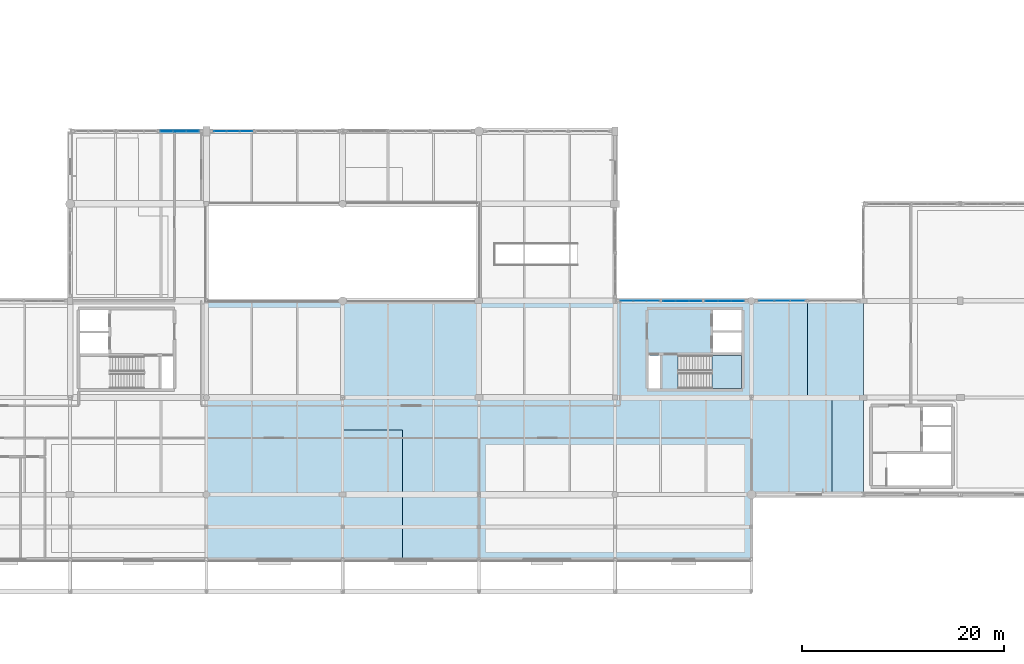
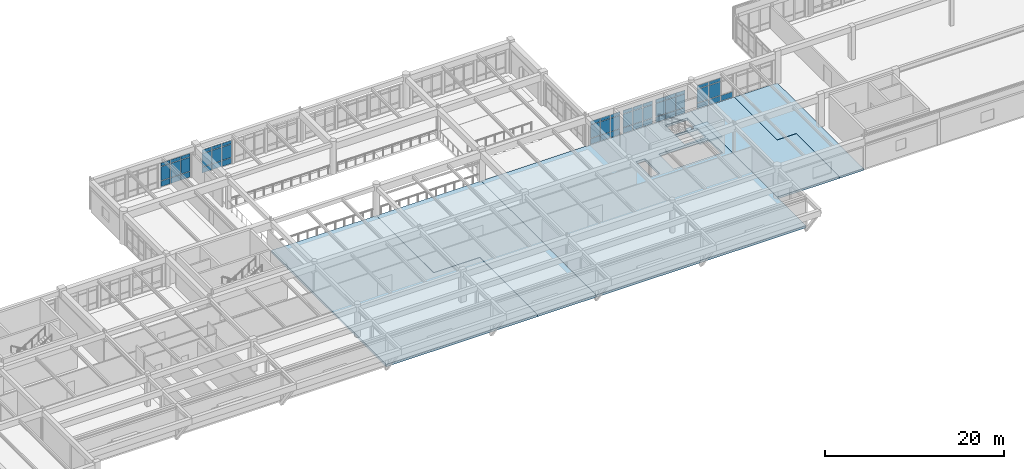
# One storey, part 53 of 80: 52 plates, 6 slabs, 7 elements without a shape of their own.
"""IFC4 building model written with IfcOpenShell, lengths in metres."""

from ifc_helpers import new_model, si_unit, direction, frame, origin, origin_2d, place, context, subcontext, project, spatial, polyline, rectangle, outline, extrude, material, layer, layer_set, type_object, element, aggregate, save


model = new_model("IFC4")

# Units and contexts
model_context = context("Model", 3, precision=1e-05, world=origin(), true_north=direction((0.0, 1.0)))
body_context = subcontext(model_context, "Body", "Model", "MODEL_VIEW")
ifc_project = project(units=[si_unit("LENGTHUNIT", "METRE"), si_unit("AREAUNIT", "SQUARE_METRE"), si_unit("VOLUMEUNIT", "CUBIC_METRE"), si_unit("PLANEANGLEUNIT", "RADIAN"), si_unit("MASSUNIT", "GRAM", prefix="KILO")], contexts=[model_context])

# Site, building, storey
site_placement = place(None, origin())
site = spatial("IfcSite", under=ifc_project, at=site_placement, CompositionType="ELEMENT")
building_placement = place(site_placement, origin())
building = spatial("IfcBuilding", under=site, at=building_placement, Name="Fikremerkos Civic Library", CompositionType="ELEMENT")
storey_placement = place(building_placement, frame((0.0, 0.0, 9.89990234375)))
storey = spatial("IfcBuildingStorey", under=building, at=storey_placement, Name="L02", CompositionType="ELEMENT", Elevation=9.89990234375)

# Curtain wall, plates
ifc_material_1 = material(Name="Anodized aluminium Frame", Category="aluminium")
ifc_layer_1 = layer(ifc_material_1, 0.159912109375, Name="Anodized aluminium Frame")
ifc_layer_set_1 = layer_set([ifc_layer_1], Name="Anodized aluminium Frame")
curtain_wall_type_1 = type_object("IfcCurtainWallType", Name="Unitised curtain wall CW-13 3700x3200", PredefinedType="USERDEFINED", material=ifc_layer_set_1)
curtain_wall_1_placement = place(storey_placement, origin())
curtain_wall_1 = element("IfcCurtainWall", 1, at=curtain_wall_1_placement, inside=storey, type_object=curtain_wall_type_1, Name="Unitised curtain wall CW-13 L02 #157", ObjectType="UNITISED CURTAIN WALL", PredefinedType="USERDEFINED")
ifc_material_2 = material(Name="Solar control double glazing", Category="glass")
ifc_layer_2 = layer(ifc_material_2, 0.028076171875, Name="Solar control double glazing")
ifc_layer_set_2 = layer_set([ifc_layer_2], Name="Solar control double glazing")
plate_type_1 = type_object("IfcPlateType", Name="Curtain glazing panel CWP-01 28", PredefinedType="CURTAIN_PANEL", material=ifc_layer_set_2)
plate_1_placement = place(storey_placement, frame((61.064453125, 48.0, 0.06005859375), z_axis=(0.0, 0.0, 1.0), x_axis=(1.0, 0.0, 0.0)))
plate_1 = element("IfcPlate", 2, at=plate_1_placement, type_object=plate_type_1, Name="CW-13 panel 1.1", PredefinedType="CURTAIN_PANEL", context=body_context, shape_type="SweptSolid", body=[
    extrude(rectangle(XDim=1.202880859375, YDim=0.028076171875, at=origin_2d()), origin(), (0.0, 0.0, 1.0), 0.760009765625),
])
plate_2_placement = place(storey_placement, frame((61.064453125, 48.0, 0.8798828125), z_axis=(0.0, 0.0, 1.0), x_axis=(1.0, 0.0, 0.0)))
plate_2 = element("IfcPlate", 3, at=plate_2_placement, type_object=plate_type_1, Name="CW-13 panel 1.2", PredefinedType="CURTAIN_PANEL", context=body_context, shape_type="SweptSolid", body=[
    extrude(rectangle(XDim=1.202880859375, YDim=0.028076171875, at=origin_2d()), origin(), (0.0, 0.0, 1.0), 1.800048828125),
])
plate_3_placement = place(storey_placement, frame((61.064453125, 48.0, 2.740234375), z_axis=(0.0, 0.0, 1.0), x_axis=(1.0, 0.0, 0.0)))
plate_3 = element("IfcPlate", 4, at=plate_3_placement, type_object=plate_type_1, Name="CW-13 panel 1.3", PredefinedType="CURTAIN_PANEL", context=body_context, shape_type="SweptSolid", body=[
    extrude(rectangle(XDim=1.202880859375, YDim=0.028076171875, at=origin_2d()), origin(), (0.0, 0.0, 1.0), 0.4599609375),
])
plate_4_placement = place(storey_placement, frame((62.3486328125, 48.0, 0.06005859375), z_axis=(0.0, 0.0, 1.0), x_axis=(1.0, 0.0, 0.0)))
plate_4 = element("IfcPlate", 5, at=plate_4_placement, type_object=plate_type_1, Name="CW-13 panel 2.1", PredefinedType="CURTAIN_PANEL", context=body_context, shape_type="SweptSolid", body=[
    extrude(rectangle(XDim=1.2353515625, YDim=0.028076171875, at=origin_2d()), origin(), (0.0, 0.0, 1.0), 0.760009765625),
])
plate_5_placement = place(storey_placement, frame((62.3486328125, 48.0, 0.8798828125), z_axis=(0.0, 0.0, 1.0), x_axis=(1.0, 0.0, 0.0)))
plate_5 = element("IfcPlate", 6, at=plate_5_placement, type_object=plate_type_1, Name="CW-13 panel 2.2", PredefinedType="CURTAIN_PANEL", context=body_context, shape_type="SweptSolid", body=[
    extrude(rectangle(XDim=1.2353515625, YDim=0.028076171875, at=origin_2d()), origin(), (0.0, 0.0, 1.0), 1.800048828125),
])
plate_6_placement = place(storey_placement, frame((62.3486328125, 48.0, 2.740234375), z_axis=(0.0, 0.0, 1.0), x_axis=(1.0, 0.0, 0.0)))
plate_6 = element("IfcPlate", 7, at=plate_6_placement, type_object=plate_type_1, Name="CW-13 panel 2.3", PredefinedType="CURTAIN_PANEL", context=body_context, shape_type="SweptSolid", body=[
    extrude(rectangle(XDim=1.2353515625, YDim=0.028076171875, at=origin_2d()), origin(), (0.0, 0.0, 1.0), 0.4599609375),
])
plate_7_placement = place(storey_placement, frame((63.6328125, 48.0, 0.06005859375), z_axis=(0.0, 0.0, 1.0), x_axis=(1.0, 0.0, 0.0)))
plate_7 = element("IfcPlate", 8, at=plate_7_placement, type_object=plate_type_1, Name="CW-13 panel 3.1", PredefinedType="CURTAIN_PANEL", context=body_context, shape_type="SweptSolid", body=[
    extrude(rectangle(XDim=1.202880859375, YDim=0.028076171875, at=origin_2d()), origin(), (0.0, 0.0, 1.0), 0.760009765625),
])
plate_8_placement = place(storey_placement, frame((63.6328125, 48.0, 0.8798828125), z_axis=(0.0, 0.0, 1.0), x_axis=(1.0, 0.0, 0.0)))
plate_8 = element("IfcPlate", 9, at=plate_8_placement, type_object=plate_type_1, Name="CW-13 panel 3.2", PredefinedType="CURTAIN_PANEL", context=body_context, shape_type="SweptSolid", body=[
    extrude(rectangle(XDim=1.202880859375, YDim=0.028076171875, at=origin_2d()), origin(), (0.0, 0.0, 1.0), 1.800048828125),
])
plate_9_placement = place(storey_placement, frame((63.6328125, 48.0, 2.740234375), z_axis=(0.0, 0.0, 1.0), x_axis=(1.0, 0.0, 0.0)))
plate_9 = element("IfcPlate", 10, at=plate_9_placement, type_object=plate_type_1, Name="CW-13 panel 3.3", PredefinedType="CURTAIN_PANEL", context=body_context, shape_type="SweptSolid", body=[
    extrude(rectangle(XDim=1.202880859375, YDim=0.028076171875, at=origin_2d()), origin(), (0.0, 0.0, 1.0), 0.4599609375),
])
aggregate(curtain_wall_1, [plate_1, plate_2, plate_3, plate_4, plate_5, plate_6, plate_7, plate_8, plate_9])

ifc_layer_3 = layer(ifc_material_1, 0.159912109375, Name="Anodized aluminium Frame")
ifc_layer_set_3 = layer_set([ifc_layer_3], Name="Anodized aluminium Frame")
curtain_wall_type_2 = type_object("IfcCurtainWallType", Name="Unitised curtain wall CW-09 3600x3400", PredefinedType="USERDEFINED", material=ifc_layer_set_3)
curtain_wall_2_placement = place(storey_placement, origin())
curtain_wall_2 = element("IfcCurtainWall", 11, at=curtain_wall_2_placement, inside=storey, type_object=curtain_wall_type_2, Name="Unitised curtain wall CW-09 L02 #171", ObjectType="UNITISED CURTAIN WALL", PredefinedType="USERDEFINED")
plate_10_placement = place(storey_placement, frame((115.197998046875, 31.199951171875, 0.070068359375), z_axis=(0.0, 0.0, 1.0), x_axis=(1.0, 0.0, 0.0)))
plate_10 = element("IfcPlate", 12, at=plate_10_placement, type_object=plate_type_1, Name="CW-09 panel 1.1", PredefinedType="CURTAIN_PANEL", context=body_context, shape_type="SweptSolid", body=[
    extrude(rectangle(XDim=1.4697265625, YDim=0.028076171875, at=origin_2d()), origin(), (0.0, 0.0, 1.0), 0.7451171875),
])
plate_11_placement = place(storey_placement, frame((115.197998046875, 31.199951171875, 0.885009765625), z_axis=(0.0, 0.0, 1.0), x_axis=(1.0, 0.0, 0.0)))
plate_11 = element("IfcPlate", 13, at=plate_11_placement, type_object=plate_type_1, Name="CW-09 panel 1.2", PredefinedType="CURTAIN_PANEL", context=body_context, shape_type="SweptSolid", body=[
    extrude(rectangle(XDim=1.4697265625, YDim=0.028076171875, at=origin_2d()), origin(), (0.0, 0.0, 1.0), 1.830078125),
])
plate_12_placement = place(storey_placement, frame((115.197998046875, 31.199951171875, 2.78515625), z_axis=(0.0, 0.0, 1.0), x_axis=(1.0, 0.0, 0.0)))
plate_12 = element("IfcPlate", 14, at=plate_12_placement, type_object=plate_type_1, Name="CW-09 panel 1.3", PredefinedType="CURTAIN_PANEL", context=body_context, shape_type="SweptSolid", body=[
    extrude(rectangle(XDim=1.4697265625, YDim=0.028076171875, at=origin_2d()), origin(), (0.0, 0.0, 1.0), 0.445068359375),
])
plate_13_placement = place(storey_placement, frame((116.7490234375, 31.199951171875, 0.070068359375), z_axis=(0.0, 0.0, 1.0), x_axis=(1.0, 0.0, 0.0)))
plate_13 = element("IfcPlate", 15, at=plate_13_placement, type_object=plate_type_1, Name="CW-09 panel 2.1", PredefinedType="CURTAIN_PANEL", context=body_context, shape_type="SweptSolid", body=[
    extrude(rectangle(XDim=1.50244140625, YDim=0.028076171875, at=origin_2d()), origin(), (0.0, 0.0, 1.0), 0.7451171875),
])
plate_14_placement = place(storey_placement, frame((116.7490234375, 31.199951171875, 0.885009765625), z_axis=(0.0, 0.0, 1.0), x_axis=(1.0, 0.0, 0.0)))
plate_14 = element("IfcPlate", 16, at=plate_14_placement, type_object=plate_type_1, Name="CW-09 panel 2.2", PredefinedType="CURTAIN_PANEL", context=body_context, shape_type="SweptSolid", body=[
    extrude(rectangle(XDim=1.50244140625, YDim=0.028076171875, at=origin_2d()), origin(), (0.0, 0.0, 1.0), 1.830078125),
])
plate_15_placement = place(storey_placement, frame((116.7490234375, 31.199951171875, 2.78515625), z_axis=(0.0, 0.0, 1.0), x_axis=(1.0, 0.0, 0.0)))
plate_15 = element("IfcPlate", 17, at=plate_15_placement, type_object=plate_type_1, Name="CW-09 panel 2.3", PredefinedType="CURTAIN_PANEL", context=body_context, shape_type="SweptSolid", body=[
    extrude(rectangle(XDim=1.50244140625, YDim=0.028076171875, at=origin_2d()), origin(), (0.0, 0.0, 1.0), 0.445068359375),
])
plate_16_placement = place(storey_placement, frame((118.300048828125, 31.199951171875, 0.070068359375), z_axis=(0.0, 0.0, 1.0), x_axis=(1.0, 0.0, 0.0)))
plate_16 = element("IfcPlate", 18, at=plate_16_placement, type_object=plate_type_1, Name="CW-09 panel 3.1", PredefinedType="CURTAIN_PANEL", context=body_context, shape_type="SweptSolid", body=[
    extrude(rectangle(XDim=1.4697265625, YDim=0.028076171875, at=origin_2d()), origin(), (0.0, 0.0, 1.0), 0.7451171875),
])
aggregate(curtain_wall_2, [plate_10, plate_11, plate_12, plate_13, plate_14, plate_15, plate_16])

ifc_layer_4 = layer(ifc_material_1, 0.159912109375, Name="Anodized aluminium Frame")
ifc_layer_set_4 = layer_set([ifc_layer_4], Name="Anodized aluminium Frame")
curtain_wall_type_3 = type_object("IfcCurtainWallType", Name="Unitised curtain wall CW-06 4200x4100", PredefinedType="USERDEFINED", material=ifc_layer_set_4)
curtain_wall_3_placement = place(storey_placement, origin())
curtain_wall_3 = element("IfcCurtainWall", 19, at=curtain_wall_3_placement, inside=storey, type_object=curtain_wall_type_3, Name="Unitised curtain wall CW-06 L02 #168", ObjectType="UNITISED CURTAIN WALL", PredefinedType="USERDEFINED")
ifc_layer_5 = layer(ifc_material_2, 0.035888671875, Name="Solar control double glazing")
ifc_layer_set_5 = layer_set([ifc_layer_5], Name="Solar control double glazing")
plate_type_2 = type_object("IfcPlateType", Name="Curtain glazing panel CWP-02 36", PredefinedType="CURTAIN_PANEL", material=ifc_layer_set_5)
plate_17_placement = place(storey_placement, frame((101.36328125, 31.199951171875, 0.06005859375), z_axis=(0.0, 0.0, 1.0), x_axis=(1.0, 0.0, 0.0)))
plate_17 = element("IfcPlate", 20, at=plate_17_placement, type_object=plate_type_2, Name="CW-06 panel 1.1", PredefinedType="CURTAIN_PANEL", context=body_context, shape_type="SweptSolid", body=[
    extrude(rectangle(XDim=1.21044921875, YDim=0.035888671875, at=origin_2d()), origin(), (0.0, 0.0, 1.0), 0.760009765625),
])
plate_18_placement = place(storey_placement, frame((101.36328125, 31.199951171875, 0.880126953125), z_axis=(0.0, 0.0, 1.0), x_axis=(1.0, 0.0, 0.0)))
plate_18 = element("IfcPlate", 21, at=plate_18_placement, type_object=plate_type_2, Name="CW-06 panel 1.2", PredefinedType="CURTAIN_PANEL", context=body_context, shape_type="SweptSolid", body=[
    extrude(rectangle(XDim=1.21044921875, YDim=0.035888671875, at=origin_2d()), origin(), (0.0, 0.0, 1.0), 1.7900390625),
])
plate_19_placement = place(storey_placement, frame((101.36328125, 31.199951171875, 2.730224609375), z_axis=(0.0, 0.0, 1.0), x_axis=(1.0, 0.0, 0.0)))
plate_19 = element("IfcPlate", 22, at=plate_19_placement, type_object=plate_type_2, Name="CW-06 panel 1.3", PredefinedType="CURTAIN_PANEL", context=body_context, shape_type="SweptSolid", body=[
    extrude(rectangle(XDim=1.21044921875, YDim=0.035888671875, at=origin_2d()), origin(), (0.0, 0.0, 1.0), 0.4599609375),
])
plate_20_placement = place(storey_placement, frame((102.648681640625, 31.199951171875, 0.06005859375), z_axis=(0.0, 0.0, 1.0), x_axis=(1.0, 0.0, 0.0)))
plate_20 = element("IfcPlate", 23, at=plate_20_placement, type_object=plate_type_2, Name="CW-06 panel 2.1", PredefinedType="CURTAIN_PANEL", context=body_context, shape_type="SweptSolid", body=[
    extrude(rectangle(XDim=1.240478515625, YDim=0.035888671875, at=origin_2d()), origin(), (0.0, 0.0, 1.0), 0.760009765625),
])
plate_21_placement = place(storey_placement, frame((102.648681640625, 31.199951171875, 0.880126953125), z_axis=(0.0, 0.0, 1.0), x_axis=(1.0, 0.0, 0.0)))
plate_21 = element("IfcPlate", 24, at=plate_21_placement, type_object=plate_type_2, Name="CW-06 panel 2.2", PredefinedType="CURTAIN_PANEL", context=body_context, shape_type="SweptSolid", body=[
    extrude(rectangle(XDim=1.240478515625, YDim=0.035888671875, at=origin_2d()), origin(), (0.0, 0.0, 1.0), 1.7900390625),
])
plate_22_placement = place(storey_placement, frame((102.648681640625, 31.199951171875, 2.730224609375), z_axis=(0.0, 0.0, 1.0), x_axis=(1.0, 0.0, 0.0)))
plate_22 = element("IfcPlate", 25, at=plate_22_placement, type_object=plate_type_2, Name="CW-06 panel 2.3", PredefinedType="CURTAIN_PANEL", context=body_context, shape_type="SweptSolid", body=[
    extrude(rectangle(XDim=1.240478515625, YDim=0.035888671875, at=origin_2d()), origin(), (0.0, 0.0, 1.0), 0.4599609375),
])
plate_23_placement = place(storey_placement, frame((103.93408203125, 31.199951171875, 0.06005859375), z_axis=(0.0, 0.0, 1.0), x_axis=(1.0, 0.0, 0.0)))
plate_23 = element("IfcPlate", 26, at=plate_23_placement, type_object=plate_type_2, Name="CW-06 panel 3.1", PredefinedType="CURTAIN_PANEL", context=body_context, shape_type="SweptSolid", body=[
    extrude(rectangle(XDim=1.21044921875, YDim=0.035888671875, at=origin_2d()), origin(), (0.0, 0.0, 1.0), 0.760009765625),
])
plate_24_placement = place(storey_placement, frame((103.93408203125, 31.199951171875, 0.880126953125), z_axis=(0.0, 0.0, 1.0), x_axis=(1.0, 0.0, 0.0)))
plate_24 = element("IfcPlate", 27, at=plate_24_placement, type_object=plate_type_2, Name="CW-06 panel 3.2", PredefinedType="CURTAIN_PANEL", context=body_context, shape_type="SweptSolid", body=[
    extrude(rectangle(XDim=1.21044921875, YDim=0.035888671875, at=origin_2d()), origin(), (0.0, 0.0, 1.0), 1.7900390625),
])
plate_25_placement = place(storey_placement, frame((103.93408203125, 31.199951171875, 2.730224609375), z_axis=(0.0, 0.0, 1.0), x_axis=(1.0, 0.0, 0.0)))
plate_25 = element("IfcPlate", 28, at=plate_25_placement, type_object=plate_type_2, Name="CW-06 panel 3.3", PredefinedType="CURTAIN_PANEL", context=body_context, shape_type="SweptSolid", body=[
    extrude(rectangle(XDim=1.21044921875, YDim=0.035888671875, at=origin_2d()), origin(), (0.0, 0.0, 1.0), 0.4599609375),
])
aggregate(curtain_wall_3, [plate_17, plate_18, plate_19, plate_20, plate_21, plate_22, plate_23, plate_24, plate_25])

ifc_layer_6 = layer(ifc_material_1, 0.159912109375, Name="Anodized aluminium Frame")
ifc_layer_set_6 = layer_set([ifc_layer_6], Name="Anodized aluminium Frame")
curtain_wall_type_4 = type_object("IfcCurtainWallType", Name="Unitised curtain wall CW-07 3500x4100", PredefinedType="USERDEFINED", material=ifc_layer_set_6)
curtain_wall_4_placement = place(storey_placement, origin())
curtain_wall_4 = element("IfcCurtainWall", 29, at=curtain_wall_4_placement, inside=storey, type_object=curtain_wall_type_4, Name="Unitised curtain wall CW-07 L02 #169", ObjectType="UNITISED CURTAIN WALL", PredefinedType="USERDEFINED")
ifc_material_3 = material(Name="Insulated aluminium spandrel", Category="aluminium")
ifc_layer_7 = layer(ifc_material_3, 0.044921875, Name="Insulated aluminium spandrel")
ifc_layer_set_7 = layer_set([ifc_layer_7], Name="Insulated aluminium spandrel")
plate_type_3 = type_object("IfcPlateType", Name="Curtain spandrel panel CSP-01 45", PredefinedType="CURTAIN_PANEL", material=ifc_layer_set_7)
plate_26_placement = place(storey_placement, frame((105.564453125, 31.199951171875, 0.070068359375), z_axis=(0.0, 0.0, 1.0), x_axis=(1.0, 0.0, 0.0)))
plate_26 = element("IfcPlate", 30, at=plate_26_placement, type_object=plate_type_3, Name="CW-07 panel 1.1", PredefinedType="CURTAIN_PANEL", context=body_context, shape_type="SweptSolid", body=[
    extrude(rectangle(XDim=1.21044921875, YDim=0.044921875, at=origin_2d()), origin(), (0.0, 0.0, 1.0), 0.7451171875),
])
plate_27_placement = place(storey_placement, frame((105.564453125, 31.199951171875, 0.88525390625), z_axis=(0.0, 0.0, 1.0), x_axis=(1.0, 0.0, 0.0)))
plate_27 = element("IfcPlate", 31, at=plate_27_placement, type_object=plate_type_3, Name="CW-07 panel 1.2", PredefinedType="CURTAIN_PANEL", context=body_context, shape_type="SweptSolid", body=[
    extrude(rectangle(XDim=1.21044921875, YDim=0.044921875, at=origin_2d()), origin(), (0.0, 0.0, 1.0), 1.780029296875),
])
plate_28_placement = place(storey_placement, frame((105.564453125, 31.199951171875, 2.73486328125), z_axis=(0.0, 0.0, 1.0), x_axis=(1.0, 0.0, 0.0)))
plate_28 = element("IfcPlate", 32, at=plate_28_placement, type_object=plate_type_3, Name="CW-07 panel 1.3", PredefinedType="CURTAIN_PANEL", context=body_context, shape_type="SweptSolid", body=[
    extrude(rectangle(XDim=1.21044921875, YDim=0.044921875, at=origin_2d()), origin(), (0.0, 0.0, 1.0), 0.445068359375),
])
plate_29_placement = place(storey_placement, frame((106.85009765625, 31.199951171875, 0.070068359375), z_axis=(0.0, 0.0, 1.0), x_axis=(1.0, 0.0, 0.0)))
plate_29 = element("IfcPlate", 33, at=plate_29_placement, type_object=plate_type_3, Name="CW-07 panel 2.1", PredefinedType="CURTAIN_PANEL", context=body_context, shape_type="SweptSolid", body=[
    extrude(rectangle(XDim=1.240478515625, YDim=0.044921875, at=origin_2d()), origin(), (0.0, 0.0, 1.0), 0.7451171875),
])
plate_30_placement = place(storey_placement, frame((106.85009765625, 31.199951171875, 0.88525390625), z_axis=(0.0, 0.0, 1.0), x_axis=(1.0, 0.0, 0.0)))
plate_30 = element("IfcPlate", 34, at=plate_30_placement, type_object=plate_type_3, Name="CW-07 panel 2.2", PredefinedType="CURTAIN_PANEL", context=body_context, shape_type="SweptSolid", body=[
    extrude(rectangle(XDim=1.240478515625, YDim=0.044921875, at=origin_2d()), origin(), (0.0, 0.0, 1.0), 1.780029296875),
])
plate_31_placement = place(storey_placement, frame((106.85009765625, 31.199951171875, 2.73486328125), z_axis=(0.0, 0.0, 1.0), x_axis=(1.0, 0.0, 0.0)))
plate_31 = element("IfcPlate", 35, at=plate_31_placement, type_object=plate_type_3, Name="CW-07 panel 2.3", PredefinedType="CURTAIN_PANEL", context=body_context, shape_type="SweptSolid", body=[
    extrude(rectangle(XDim=1.240478515625, YDim=0.044921875, at=origin_2d()), origin(), (0.0, 0.0, 1.0), 0.445068359375),
])
plate_32_placement = place(storey_placement, frame((108.135498046875, 31.199951171875, 0.070068359375), z_axis=(0.0, 0.0, 1.0), x_axis=(1.0, 0.0, 0.0)))
plate_32 = element("IfcPlate", 36, at=plate_32_placement, type_object=plate_type_3, Name="CW-07 panel 3.1", PredefinedType="CURTAIN_PANEL", context=body_context, shape_type="SweptSolid", body=[
    extrude(rectangle(XDim=1.21044921875, YDim=0.044921875, at=origin_2d()), origin(), (0.0, 0.0, 1.0), 0.7451171875),
])
plate_33_placement = place(storey_placement, frame((108.135498046875, 31.199951171875, 0.88525390625), z_axis=(0.0, 0.0, 1.0), x_axis=(1.0, 0.0, 0.0)))
plate_33 = element("IfcPlate", 37, at=plate_33_placement, type_object=plate_type_3, Name="CW-07 panel 3.2", PredefinedType="CURTAIN_PANEL", context=body_context, shape_type="SweptSolid", body=[
    extrude(rectangle(XDim=1.21044921875, YDim=0.044921875, at=origin_2d()), origin(), (0.0, 0.0, 1.0), 1.780029296875),
])
plate_34_placement = place(storey_placement, frame((108.135498046875, 31.199951171875, 2.73486328125), z_axis=(0.0, 0.0, 1.0), x_axis=(1.0, 0.0, 0.0)))
plate_34 = element("IfcPlate", 38, at=plate_34_placement, type_object=plate_type_3, Name="CW-07 panel 3.3", PredefinedType="CURTAIN_PANEL", context=body_context, shape_type="SweptSolid", body=[
    extrude(rectangle(XDim=1.21044921875, YDim=0.044921875, at=origin_2d()), origin(), (0.0, 0.0, 1.0), 0.445068359375),
])
aggregate(curtain_wall_4, [plate_26, plate_27, plate_28, plate_29, plate_30, plate_31, plate_32, plate_33, plate_34])

ifc_layer_8 = layer(ifc_material_1, 0.159912109375, Name="Anodized aluminium Frame")
ifc_layer_set_8 = layer_set([ifc_layer_8], Name="Anodized aluminium Frame")
curtain_wall_type_5 = type_object("IfcCurtainWallType", Name="Unitised curtain wall CW-12 4300x3400", PredefinedType="USERDEFINED", material=ifc_layer_set_8)
curtain_wall_5_placement = place(storey_placement, origin())
curtain_wall_5 = element("IfcCurtainWall", 39, at=curtain_wall_5_placement, inside=storey, type_object=curtain_wall_type_5, Name="Unitised curtain wall CW-12 L02 #156", ObjectType="UNITISED CURTAIN WALL", PredefinedType="USERDEFINED")
ifc_layer_9 = layer(ifc_material_3, 0.054931640625, Name="Insulated aluminium spandrel")
ifc_layer_set_9 = layer_set([ifc_layer_9], Name="Insulated aluminium spandrel")
plate_type_4 = type_object("IfcPlateType", Name="Curtain spandrel panel CSP-02 55", PredefinedType="CURTAIN_PANEL", material=ifc_layer_set_9)
plate_35_placement = place(storey_placement, frame((55.765869140625, 48.0, 0.065185546875), z_axis=(0.0, 0.0, 1.0), x_axis=(1.0, 0.0, 0.0)))
plate_35 = element("IfcPlate", 40, at=plate_35_placement, type_object=plate_type_4, Name="CW-12 panel 1.1", PredefinedType="CURTAIN_PANEL", context=body_context, shape_type="SweptSolid", body=[
    extrude(rectangle(XDim=1.21044921875, YDim=0.054931640625, at=origin_2d()), origin(), (0.0, 0.0, 1.0), 0.75244140625),
])
plate_36_placement = place(storey_placement, frame((55.765869140625, 48.0, 0.882568359375), z_axis=(0.0, 0.0, 1.0), x_axis=(1.0, 0.0, 0.0)))
plate_36 = element("IfcPlate", 41, at=plate_36_placement, type_object=plate_type_4, Name="CW-12 panel 1.2", PredefinedType="CURTAIN_PANEL", context=body_context, shape_type="SweptSolid", body=[
    extrude(rectangle(XDim=1.21044921875, YDim=0.054931640625, at=origin_2d()), origin(), (0.0, 0.0, 1.0), 1.89501953125),
])
plate_37_placement = place(storey_placement, frame((55.765869140625, 48.0, 2.8427734375), z_axis=(0.0, 0.0, 1.0), x_axis=(1.0, 0.0, 0.0)))
plate_37 = element("IfcPlate", 42, at=plate_37_placement, type_object=plate_type_4, Name="CW-12 panel 1.3", PredefinedType="CURTAIN_PANEL", context=body_context, shape_type="SweptSolid", body=[
    extrude(rectangle(XDim=1.21044921875, YDim=0.054931640625, at=origin_2d()), origin(), (0.0, 0.0, 1.0), 0.452392578125),
])
plate_38_placement = place(storey_placement, frame((57.05126953125, 48.0, 0.065185546875), z_axis=(0.0, 0.0, 1.0), x_axis=(1.0, 0.0, 0.0)))
plate_38 = element("IfcPlate", 43, at=plate_38_placement, type_object=plate_type_4, Name="CW-12 panel 2.1", PredefinedType="CURTAIN_PANEL", context=body_context, shape_type="SweptSolid", body=[
    extrude(rectangle(XDim=1.240478515625, YDim=0.054931640625, at=origin_2d()), origin(), (0.0, 0.0, 1.0), 0.75244140625),
])
plate_39_placement = place(storey_placement, frame((57.05126953125, 48.0, 0.882568359375), z_axis=(0.0, 0.0, 1.0), x_axis=(1.0, 0.0, 0.0)))
plate_39 = element("IfcPlate", 44, at=plate_39_placement, type_object=plate_type_4, Name="CW-12 panel 2.2", PredefinedType="CURTAIN_PANEL", context=body_context, shape_type="SweptSolid", body=[
    extrude(rectangle(XDim=1.240478515625, YDim=0.054931640625, at=origin_2d()), origin(), (0.0, 0.0, 1.0), 1.89501953125),
])
plate_40_placement = place(storey_placement, frame((57.05126953125, 48.0, 2.8427734375), z_axis=(0.0, 0.0, 1.0), x_axis=(1.0, 0.0, 0.0)))
plate_40 = element("IfcPlate", 45, at=plate_40_placement, type_object=plate_type_4, Name="CW-12 panel 2.3", PredefinedType="CURTAIN_PANEL", context=body_context, shape_type="SweptSolid", body=[
    extrude(rectangle(XDim=1.240478515625, YDim=0.054931640625, at=origin_2d()), origin(), (0.0, 0.0, 1.0), 0.452392578125),
])
plate_41_placement = place(storey_placement, frame((58.336669921875, 48.0, 0.065185546875), z_axis=(0.0, 0.0, 1.0), x_axis=(1.0, 0.0, 0.0)))
plate_41 = element("IfcPlate", 46, at=plate_41_placement, type_object=plate_type_4, Name="CW-12 panel 3.1", PredefinedType="CURTAIN_PANEL", context=body_context, shape_type="SweptSolid", body=[
    extrude(rectangle(XDim=1.21044921875, YDim=0.054931640625, at=origin_2d()), origin(), (0.0, 0.0, 1.0), 0.75244140625),
])
plate_42_placement = place(storey_placement, frame((58.336669921875, 48.0, 0.882568359375), z_axis=(0.0, 0.0, 1.0), x_axis=(1.0, 0.0, 0.0)))
plate_42 = element("IfcPlate", 47, at=plate_42_placement, type_object=plate_type_4, Name="CW-12 panel 3.2", PredefinedType="CURTAIN_PANEL", context=body_context, shape_type="SweptSolid", body=[
    extrude(rectangle(XDim=1.21044921875, YDim=0.054931640625, at=origin_2d()), origin(), (0.0, 0.0, 1.0), 1.89501953125),
])
plate_43_placement = place(storey_placement, frame((58.336669921875, 48.0, 2.8427734375), z_axis=(0.0, 0.0, 1.0), x_axis=(1.0, 0.0, 0.0)))
plate_43 = element("IfcPlate", 48, at=plate_43_placement, type_object=plate_type_4, Name="CW-12 panel 3.3", PredefinedType="CURTAIN_PANEL", context=body_context, shape_type="SweptSolid", body=[
    extrude(rectangle(XDim=1.21044921875, YDim=0.054931640625, at=origin_2d()), origin(), (0.0, 0.0, 1.0), 0.452392578125),
])
aggregate(curtain_wall_5, [plate_35, plate_36, plate_37, plate_38, plate_39, plate_40, plate_41, plate_42, plate_43])

ifc_layer_10 = layer(ifc_material_1, 0.159912109375, Name="Anodized aluminium Frame")
ifc_layer_set_10 = layer_set([ifc_layer_10], Name="Anodized aluminium Frame")
curtain_wall_type_6 = type_object("IfcCurtainWallType", Name="Unitised curtain wall CW-08 4500x4100", PredefinedType="USERDEFINED", material=ifc_layer_set_10)
curtain_wall_6_placement = place(storey_placement, origin())
curtain_wall_6 = element("IfcCurtainWall", 49, at=curtain_wall_6_placement, inside=storey, type_object=curtain_wall_type_6, Name="Unitised curtain wall CW-08 L02 #170", ObjectType="UNITISED CURTAIN WALL", PredefinedType="USERDEFINED")
plate_44_placement = place(storey_placement, frame((109.765869140625, 31.199951171875, 0.070068359375), z_axis=(0.0, 0.0, 1.0), x_axis=(1.0, 0.0, 0.0)))
plate_44 = element("IfcPlate", 50, at=plate_44_placement, type_object=plate_type_4, Name="CW-08 panel 1.1", PredefinedType="CURTAIN_PANEL", context=body_context, shape_type="SweptSolid", body=[
    extrude(rectangle(XDim=1.21044921875, YDim=0.054931640625, at=origin_2d()), origin(), (0.0, 0.0, 1.0), 0.7451171875),
])
plate_45_placement = place(storey_placement, frame((109.765869140625, 31.199951171875, 0.88525390625), z_axis=(0.0, 0.0, 1.0), x_axis=(1.0, 0.0, 0.0)))
plate_45 = element("IfcPlate", 51, at=plate_45_placement, type_object=plate_type_4, Name="CW-08 panel 1.2", PredefinedType="CURTAIN_PANEL", context=body_context, shape_type="SweptSolid", body=[
    extrude(rectangle(XDim=1.21044921875, YDim=0.054931640625, at=origin_2d()), origin(), (0.0, 0.0, 1.0), 1.780029296875),
])
plate_46_placement = place(storey_placement, frame((109.765869140625, 31.199951171875, 2.73486328125), z_axis=(0.0, 0.0, 1.0), x_axis=(1.0, 0.0, 0.0)))
plate_46 = element("IfcPlate", 52, at=plate_46_placement, type_object=plate_type_4, Name="CW-08 panel 1.3", PredefinedType="CURTAIN_PANEL", context=body_context, shape_type="SweptSolid", body=[
    extrude(rectangle(XDim=1.21044921875, YDim=0.054931640625, at=origin_2d()), origin(), (0.0, 0.0, 1.0), 0.445068359375),
])
plate_47_placement = place(storey_placement, frame((111.05126953125, 31.199951171875, 0.070068359375), z_axis=(0.0, 0.0, 1.0), x_axis=(1.0, 0.0, 0.0)))
plate_47 = element("IfcPlate", 53, at=plate_47_placement, type_object=plate_type_4, Name="CW-08 panel 2.1", PredefinedType="CURTAIN_PANEL", context=body_context, shape_type="SweptSolid", body=[
    extrude(rectangle(XDim=1.240478515625, YDim=0.054931640625, at=origin_2d()), origin(), (0.0, 0.0, 1.0), 0.7451171875),
])
plate_48_placement = place(storey_placement, frame((111.05126953125, 31.199951171875, 0.88525390625), z_axis=(0.0, 0.0, 1.0), x_axis=(1.0, 0.0, 0.0)))
plate_48 = element("IfcPlate", 54, at=plate_48_placement, type_object=plate_type_4, Name="CW-08 panel 2.2", PredefinedType="CURTAIN_PANEL", context=body_context, shape_type="SweptSolid", body=[
    extrude(rectangle(XDim=1.240478515625, YDim=0.054931640625, at=origin_2d()), origin(), (0.0, 0.0, 1.0), 1.780029296875),
])
plate_49_placement = place(storey_placement, frame((111.05126953125, 31.199951171875, 2.73486328125), z_axis=(0.0, 0.0, 1.0), x_axis=(1.0, 0.0, 0.0)))
plate_49 = element("IfcPlate", 55, at=plate_49_placement, type_object=plate_type_4, Name="CW-08 panel 2.3", PredefinedType="CURTAIN_PANEL", context=body_context, shape_type="SweptSolid", body=[
    extrude(rectangle(XDim=1.240478515625, YDim=0.054931640625, at=origin_2d()), origin(), (0.0, 0.0, 1.0), 0.445068359375),
])
plate_50_placement = place(storey_placement, frame((112.336669921875, 31.199951171875, 0.070068359375), z_axis=(0.0, 0.0, 1.0), x_axis=(1.0, 0.0, 0.0)))
plate_50 = element("IfcPlate", 56, at=plate_50_placement, type_object=plate_type_4, Name="CW-08 panel 3.1", PredefinedType="CURTAIN_PANEL", context=body_context, shape_type="SweptSolid", body=[
    extrude(rectangle(XDim=1.21044921875, YDim=0.054931640625, at=origin_2d()), origin(), (0.0, 0.0, 1.0), 0.7451171875),
])
plate_51_placement = place(storey_placement, frame((112.336669921875, 31.199951171875, 0.88525390625), z_axis=(0.0, 0.0, 1.0), x_axis=(1.0, 0.0, 0.0)))
plate_51 = element("IfcPlate", 57, at=plate_51_placement, type_object=plate_type_4, Name="CW-08 panel 3.2", PredefinedType="CURTAIN_PANEL", context=body_context, shape_type="SweptSolid", body=[
    extrude(rectangle(XDim=1.21044921875, YDim=0.054931640625, at=origin_2d()), origin(), (0.0, 0.0, 1.0), 1.780029296875),
])
plate_52_placement = place(storey_placement, frame((112.336669921875, 31.199951171875, 2.73486328125), z_axis=(0.0, 0.0, 1.0), x_axis=(1.0, 0.0, 0.0)))
plate_52 = element("IfcPlate", 58, at=plate_52_placement, type_object=plate_type_4, Name="CW-08 panel 3.3", PredefinedType="CURTAIN_PANEL", context=body_context, shape_type="SweptSolid", body=[
    extrude(rectangle(XDim=1.21044921875, YDim=0.054931640625, at=origin_2d()), origin(), (0.0, 0.0, 1.0), 0.445068359375),
])
aggregate(curtain_wall_6, [plate_44, plate_45, plate_46, plate_47, plate_48, plate_49, plate_50, plate_51, plate_52])

# Stair, slab
ifc_material_4 = material(Name="Concrete C40/50", Category="concrete")
stair_type = type_object("IfcStairType", Name="Half turn stair ST-HT-03 W1550 H4500", PredefinedType="HALF_TURN_STAIR", material=ifc_material_4)
stair_placement = place(storey_placement, origin())
stair = element("IfcStair", 59, at=stair_placement, inside=storey, type_object=stair_type, Name="L02 ST-K2", PredefinedType="HALF_TURN_STAIR")
ifc_layer_11 = layer(ifc_material_4, 0.199951171875, Name="Concrete C40/50")
ifc_layer_set_11 = layer_set([ifc_layer_11], Name="Concrete C40/50")
slab_type_1 = type_object("IfcSlabType", Name="Stair landing slab SLS-01 200", PredefinedType="LANDING", material=ifc_layer_set_11)
slab_1_placement = place(storey_placement, frame((0.0, 0.0, 2.050048828125)))
slab_1 = element("IfcSlab", 60, at=slab_1_placement, type_object=slab_type_1, Name="ST-K2 landing 1", PredefinedType="LANDING", context=body_context, shape_type="SweptSolid", body=[
    extrude(outline(polyline([(109.81005859375, 22.5), (112.699951171875, 22.5), (112.699951171875, 25.800048828125), (109.81005859375, 25.800048828125), (109.81005859375, 22.5)])), origin(), (0.0, 0.0, 1.0), 0.199951171875),
])
aggregate(stair, [slab_1])

# Slabs
ifc_layer_12 = layer(ifc_material_4, 0.320068359375, Name="Concrete C40/50")
ifc_layer_set_12 = layer_set([ifc_layer_12], Name="Concrete C40/50")
slab_type_2 = type_object("IfcSlabType", Name="Suspended floor slab SFS-02 320", PredefinedType="FLOOR", material=ifc_layer_set_12)
slab_2_placement = place(storey_placement, frame((0.0, 0.0, -0.31982421875)))
element("IfcSlab", 61, at=slab_2_placement, inside=storey, type_object=slab_type_2, Name="Floor slab SFS-02 SLB-L02-V4-C-2L1", PredefinedType="FLOOR", context=body_context, shape_type="SweptSolid", body=[
    extrude(outline(polyline([(59.699951171875, 5.60009765625), (79.135986328125, 5.60009765625), (79.135986328125, 18.39599609375), (73.196044921875, 18.39599609375), (73.196044921875, 31.199951171875), (59.699951171875, 31.199951171875), (59.699951171875, 5.60009765625)])), origin(), (0.0, 0.0, 1.0), 0.31982421875),
])
slab_3_placement = place(storey_placement, frame((0.0, 0.0, -0.31982421875)))
element("IfcSlab", 62, at=slab_3_placement, inside=storey, type_object=slab_type_2, Name="Floor slab SFS-02 SLB-L02-V4-C-2L2", PredefinedType="FLOOR", context=body_context, shape_type="SweptSolid", body=[
    extrude(outline(polyline([(79.14404296875, 5.60009765625), (86.699951171875, 5.60009765625), (86.699951171875, 31.199951171875), (73.2041015625, 31.199951171875), (73.2041015625, 18.404052734375), (79.14404296875, 18.404052734375), (79.14404296875, 5.60009765625)])), origin(), (0.0, 0.0, 1.0), 0.31982421875),
])
slab_4_placement = place(storey_placement, frame((0.0, 0.0, -0.31982421875)))
element("IfcSlab", 63, at=slab_4_placement, inside=storey, type_object=slab_type_2, Name="Floor slab SFS-02 SLB-L02-V4-C-3", PredefinedType="FLOOR", context=body_context, shape_type="SweptSolid", body=[
    extrude(outline(polyline([(86.699951171875, 5.60009765625), (113.699951171875, 5.60009765625), (113.699951171875, 31.199951171875), (86.699951171875, 31.199951171875), (86.699951171875, 5.60009765625)]), holes=[polyline([(106.449951171875, 22.5), (112.699951171875, 22.5), (112.699951171875, 25.800048828125), (106.449951171875, 25.800048828125), (106.449951171875, 22.5)]), polyline([(109.89990234375, 26.06005859375), (112.699951171875, 26.06005859375), (112.699951171875, 28.10009765625), (109.89990234375, 28.10009765625), (109.89990234375, 26.06005859375)]), polyline([(109.89990234375, 28.260009765625), (112.699951171875, 28.260009765625), (112.699951171875, 30.300048828125), (109.89990234375, 30.300048828125), (109.89990234375, 28.260009765625)]), polyline([(103.5, 22.5), (104.639892578125, 22.5), (104.639892578125, 25.800048828125), (103.5, 25.800048828125), (103.5, 22.5)])]), origin(), (0.0, 0.0, 1.0), 0.31982421875),
])
ifc_layer_13 = layer(ifc_material_4, 0.280029296875, Name="Concrete C40/50")
ifc_layer_set_13 = layer_set([ifc_layer_13], Name="Concrete C40/50")
slab_type_3 = type_object("IfcSlabType", Name="Suspended floor slab SFS-04 280", PredefinedType="FLOOR", material=ifc_layer_set_13)
slab_5_placement = place(storey_placement, frame((0.0, 0.0, -0.27978515625)))
element("IfcSlab", 64, at=slab_5_placement, inside=storey, type_object=slab_type_3, Name="Floor slab SFS-04 SLB-L02-V4-E-1L1", PredefinedType="FLOOR", context=body_context, shape_type="SweptSolid", body=[
    extrude(outline(polyline([(113.699951171875, 12.0), (121.68798828125, 12.0), (121.68798828125, 21.595947265625), (119.24609375, 21.595947265625), (119.24609375, 31.199951171875), (113.699951171875, 31.199951171875), (113.699951171875, 12.0)])), origin(), (0.0, 0.0, 1.0), 0.27978515625),
])
slab_6_placement = place(storey_placement, frame((0.0, 0.0, -0.27978515625)))
element("IfcSlab", 65, at=slab_6_placement, inside=storey, type_object=slab_type_3, Name="Floor slab SFS-04 SLB-L02-V4-E-1L2", PredefinedType="FLOOR", context=body_context, shape_type="SweptSolid", body=[
    extrude(outline(polyline([(121.696044921875, 12.0), (124.800048828125, 12.0), (124.800048828125, 31.199951171875), (119.25390625, 31.199951171875), (119.25390625, 21.60400390625), (121.696044921875, 21.60400390625), (121.696044921875, 12.0)])), origin(), (0.0, 0.0, 1.0), 0.27978515625),
])

save(model, "model.ifc")
